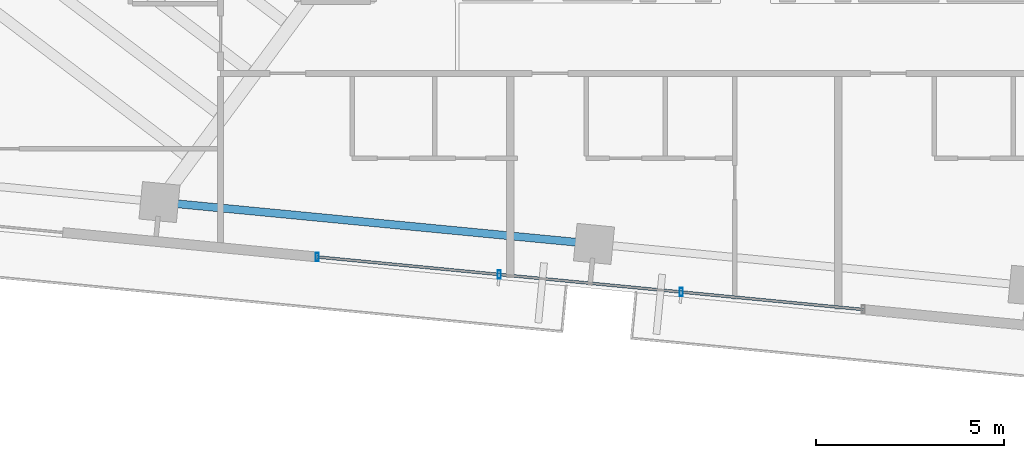
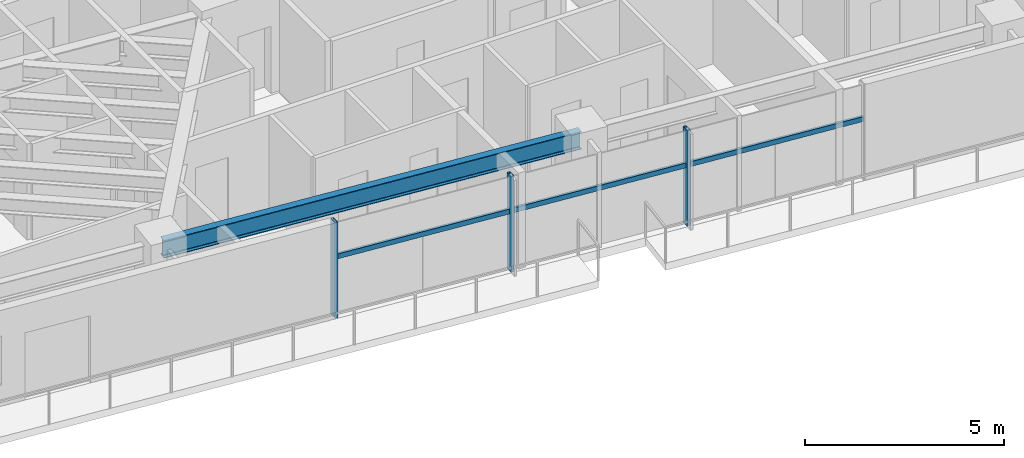
# One storey, part 4 of 19: 6 members, 1 beam, 1 element without a shape of its own.
"""IFC4 building model written with IfcOpenShell, lengths in metres."""

from ifc_helpers import new_model, si_unit, direction, frame, origin, origin_2d, place, context, subcontext, project, spatial, hollow_rectangle, i_section, extrude, source, transform, mapped, material, material_profile, profile_set, type_object, type_shapes, element, aggregate, save


model = new_model("IFC4")

# Units and contexts
model_context = context("Model", 3, precision=1e-05, world=origin(), true_north=direction((0.0, 1.0)))
body_context = subcontext(model_context, "Body", "Model", "MODEL_VIEW")
ifc_project = project(units=[si_unit("LENGTHUNIT", "METRE"), si_unit("AREAUNIT", "SQUARE_METRE"), si_unit("VOLUMEUNIT", "CUBIC_METRE"), si_unit("PLANEANGLEUNIT", "RADIAN"), si_unit("MASSUNIT", "GRAM", prefix="KILO")], contexts=[model_context])

# Site, building, storey
site_placement = place(None, origin())
site = spatial("IfcSite", under=ifc_project, at=site_placement, CompositionType="ELEMENT")
building_placement = place(site_placement, origin())
building = spatial("IfcBuilding", under=site, at=building_placement, Name="Astriad Promenade Condominiums", CompositionType="ELEMENT")
storey_placement = place(building_placement, frame((0.0, 0.0, 147.0)))
storey = spatial("IfcBuildingStorey", under=building, at=storey_placement, Name="L42", CompositionType="ELEMENT", Elevation=147.0)

# Beam
ifc_material_1 = material(Name="Steel ASTM A992 Grade 50", Category="steel")
ifc_material_profile_1 = material_profile(ifc_material_1, i_section(OverallWidth=0.210693359375, OverallDepth=0.53955078125, WebThickness=0.01171875, FlangeThickness=0.018798828125, FilletRadius=0.0166015625, at=origin_2d()), Name="W21X73")
ifc_profile_set_1 = profile_set([ifc_material_profile_1], Name="Steel ASTM A992 Grade 50")
beam_type = type_object("IfcBeamType", Name="STEEL SPANDREL BEAM W21X73", PredefinedType="SPANDREL", material=ifc_profile_set_1)
shared_shape_1 = source(origin(), body_context, "Body", "SweptSolid", [
    extrude(i_section(OverallWidth=0.210693359375, OverallDepth=0.53955078125, WebThickness=0.01171875, FlangeThickness=0.018798828125, FilletRadius=0.0166015625, at=origin_2d()), origin(), (0.0, 0.0, 1.0), 11.52001953125),
])
type_shapes(beam_type, [shared_shape_1])
beam_placement = place(storey_placement, frame((20.467041015625, 9.32763671875, 2.67041015625), z_axis=(0.9953953902, -0.095854145285, 0.0), x_axis=(0.095854145285, 0.9953953902, 0.0)))
element("IfcBeam", 1, at=beam_placement, inside=storey, type_object=beam_type, Name="Perimeter Spandrel Beam SP-S2-L42", PredefinedType="SPANDREL", context=body_context, shape_type="MappedRepresentation", body=[
    mapped(shared_shape_1, transform((0.0, 0.0, 0.0), scale=1.0)),
])

# Curtain wall, members
ifc_material_2 = material(Name="Anodised aluminium Black Dark Glass Unitised", Category="aluminium")
curtain_wall_type = type_object("IfcCurtainWallType", Name="CW-B34-DARK", PredefinedType="USERDEFINED", material=ifc_material_2)
curtain_wall_placement = place(storey_placement, origin())
curtain_wall = element("IfcCurtainWall", 2, at=curtain_wall_placement, inside=storey, type_object=curtain_wall_type, Name="CW-L42-S", ObjectType="UNITISED_CURTAIN_WALL", PredefinedType="USERDEFINED")
ifc_material_3 = material(Name="Anodised aluminium 6063-T6 Black", Category="aluminium")
ifc_material_profile_2 = material_profile(ifc_material_3, hollow_rectangle(XDim=0.0849609375, YDim=0.219970703125, WallThickness=0.0048828125, at=origin_2d()), Name="ALU-MUL-85X220")
ifc_profile_set_2 = profile_set([ifc_material_profile_2], Name="Anodised aluminium 6063-T6 Black")
member_type_1 = type_object("IfcMemberType", Name="MUL-ALU-MUL-85X220", PredefinedType="MULLION", material=ifc_profile_set_2)
shared_shape_2 = source(origin(), body_context, "Body", "SweptSolid", [
    extrude(hollow_rectangle(XDim=0.0849609375, YDim=0.219970703125, WallThickness=0.0048828125, at=origin_2d()), origin(), (0.0, 0.0, 1.0), 2.93994140625),
])
type_shapes(member_type_1, [shared_shape_2])
member_1_placement = place(storey_placement, frame((34.2919921875, 6.941650390625, 0.0), z_axis=(0.0, 0.0, 1.0), x_axis=(1.0, 0.0, 0.0)))
member_1 = element("IfcMember", 3, at=member_1_placement, type_object=member_type_1, Name="CW-L42-S-MUL-01", PredefinedType="MULLION", context=body_context, shape_type="MappedRepresentation", body=[
    mapped(shared_shape_2, transform((0.0, 0.0, 0.0), scale=1.0)),
])
member_2_placement = place(storey_placement, frame((29.454345703125, 7.407470703125, 0.0), z_axis=(0.0, 0.0, 1.0), x_axis=(1.0, 0.0, 0.0)))
member_2 = element("IfcMember", 4, at=member_2_placement, type_object=member_type_1, Name="CW-L42-S-MUL-02", PredefinedType="MULLION", context=body_context, shape_type="MappedRepresentation", body=[
    mapped(shared_shape_2, transform((0.0, 0.0, 0.0), scale=1.0)),
])
member_3_placement = place(storey_placement, frame((24.61669921875, 7.873291015625, 0.0), z_axis=(0.0, 0.0, 1.0), x_axis=(1.0, 0.0, 0.0)))
member_3 = element("IfcMember", 5, at=member_3_placement, type_object=member_type_1, Name="CW-L42-S-MUL-03", PredefinedType="MULLION", context=body_context, shape_type="MappedRepresentation", body=[
    mapped(shared_shape_2, transform((0.0, 0.0, 0.0), scale=1.0)),
])
ifc_material_profile_3 = material_profile(ifc_material_3, hollow_rectangle(XDim=0.074951171875, YDim=0.14990234375, WallThickness=0.004150390625, at=origin_2d()), Name="ALU-TRN-75X150")
ifc_profile_set_3 = profile_set([ifc_material_profile_3], Name="Anodised aluminium 6063-T6 Black")
member_type_2 = type_object("IfcMemberType", Name="TRN-ALU-TRN-75X150", PredefinedType="USERDEFINED", material=ifc_profile_set_3)
shared_shape_3 = source(origin(), body_context, "Body", "SweptSolid", [
    extrude(hollow_rectangle(XDim=0.074951171875, YDim=0.14990234375, WallThickness=0.004150390625, at=origin_2d()), origin(), (0.0, 0.0, 1.0), 4.860107421875),
])
type_shapes(member_type_2, [shared_shape_3])
member_4_placement = place(storey_placement, frame((39.129638671875, 6.475830078125, 1.82275390625), z_axis=(-0.995396042559, 0.095847370639, 0.0), x_axis=(-0.095847370639, -0.995396042559, 0.0)))
member_4 = element("IfcMember", 6, at=member_4_placement, type_object=member_type_2, Name="CW-L42-S-TRN-00-0", ObjectType="TRANSOM", PredefinedType="USERDEFINED", context=body_context, shape_type="MappedRepresentation", body=[
    mapped(shared_shape_3, transform((0.0, 0.0, 0.0), scale=1.0)),
])
member_5_placement = place(storey_placement, frame((34.2919921875, 6.941650390625, 1.82275390625), z_axis=(-0.995396042559, 0.095847370639, 0.0), x_axis=(-0.095847370639, -0.995396042559, 0.0)))
member_5 = element("IfcMember", 7, at=member_5_placement, type_object=member_type_2, Name="CW-L42-S-TRN-01-0", ObjectType="TRANSOM", PredefinedType="USERDEFINED", context=body_context, shape_type="MappedRepresentation", body=[
    mapped(shared_shape_3, transform((0.0, 0.0, 0.0), scale=1.0)),
])
member_6_placement = place(storey_placement, frame((29.454345703125, 7.407470703125, 1.82275390625), z_axis=(-0.995396042559, 0.095847370639, 0.0), x_axis=(-0.095847370639, -0.995396042559, 0.0)))
member_6 = element("IfcMember", 8, at=member_6_placement, type_object=member_type_2, Name="CW-L42-S-TRN-02-0", ObjectType="TRANSOM", PredefinedType="USERDEFINED", context=body_context, shape_type="MappedRepresentation", body=[
    mapped(shared_shape_3, transform((0.0, 0.0, 0.0), scale=1.0)),
])
aggregate(curtain_wall, [member_1, member_2, member_3, member_4, member_5, member_6])

save(model, "model.ifc")
